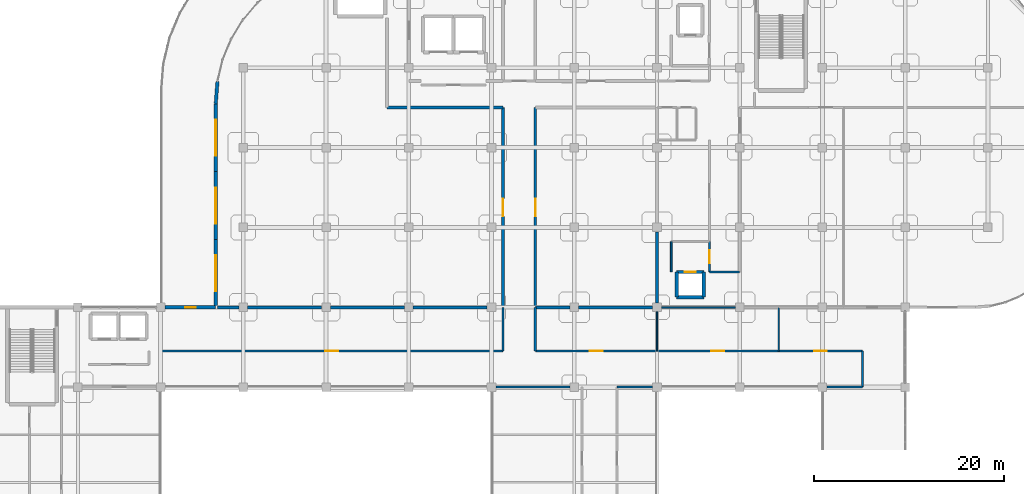
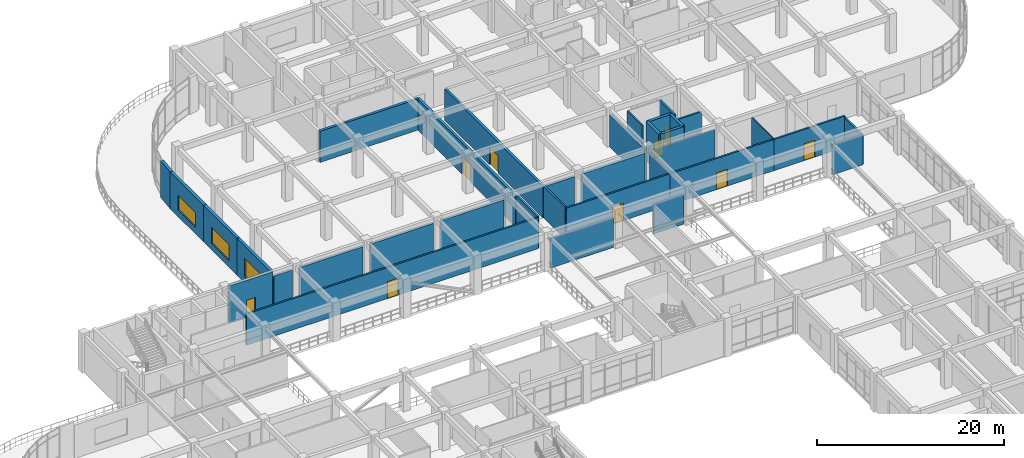
# One storey, part 103 of 120: 35 walls, 9 doors, 3 windows, 12 openings.
"""IFC4 building model written with IfcOpenShell, lengths in metres."""

from ifc_helpers import new_model, si_unit, derived_unit, direction, frame, frame_2d, origin, place, context, subcontext, project, spatial, rectangle, extrude, material, layer, layer_set, type_object, element, fill, save


model = new_model("IFC4")

# Units and contexts
model_context = context("Model", 3, precision=1e-05, world=origin(), true_north=direction((0.0, 1.0)))
body_context = subcontext(model_context, "Body", "Model", "MODEL_VIEW")
ifc_project = project(units=[si_unit("LENGTHUNIT", "METRE"), si_unit("AREAUNIT", "SQUARE_METRE"), si_unit("VOLUMEUNIT", "CUBIC_METRE"), si_unit("PLANEANGLEUNIT", "RADIAN"), si_unit("MASSUNIT", "GRAM", prefix="KILO"), derived_unit("THERMALTRANSMITTANCEUNIT", [(si_unit("MASSUNIT", "GRAM", prefix="KILO"), 1), (si_unit("TIMEUNIT", "SECOND"), -3), (si_unit("THERMODYNAMICTEMPERATUREUNIT", "KELVIN"), -1)])], contexts=[model_context])

# Site, building, storey
site_placement = place(None, origin())
site = spatial("IfcSite", under=ifc_project, at=site_placement, CompositionType="ELEMENT")
building_placement = place(site_placement, origin())
building = spatial("IfcBuilding", under=site, at=building_placement, Name="Qinzheling Arcade Emporium", CompositionType="ELEMENT")
storey_placement = place(building_placement, frame((0.0, 0.0, 11.39990234375)))
storey = spatial("IfcBuildingStorey", under=building, at=storey_placement, Name="L03", CompositionType="ELEMENT", Elevation=11.39990234375)

# Wall, opening, door
ifc_material_1 = material(Name="Double-stud acoustic gypsum board partition")
ifc_layer_1 = layer(ifc_material_1, 0.215087890625, Name="Double-stud acoustic gypsum board partition")
ifc_layer_set_1 = layer_set([ifc_layer_1], Name="Double-stud acoustic gypsum board partition")
wall_type_1 = type_object("IfcWallType", Name="Acoustic Corridor Partition Wall 215", PredefinedType="PARTITIONING", material=ifc_layer_set_1)
wall_1_placement = place(storey_placement, frame((109.89990234375, 80.699951171875, 0.0), z_axis=(0.0, 0.0, 1.0), x_axis=(0.0, -1.0, 0.0)))
wall_1 = element("IfcWall", 1, at=wall_1_placement, inside=storey, type_object=wall_type_1, Name="Interior Wall WL-L03-INT-0446", PredefinedType="PARTITIONING", context=body_context, shape_type="SweptSolid", body=[
    extrude(rectangle(XDim=3.169921875, YDim=0.215087890625, at=frame_2d((1.5849609375, 0.0))), origin(), (0.0, 0.0, 1.0), 4.760009765625),
])
opening_1_placement = place(wall_1_placement, frame((0.909912109375, 0.0, 0.0)))
opening_1 = element("IfcOpeningElement", 2, at=opening_1_placement, cuts=wall_1, Name="Opening FD05", PredefinedType="OPENING", context=body_context, shape_type="SweptSolid", body=[
    extrude(rectangle(XDim=1.35009765625, YDim=2.199951171875, at=frame_2d((0.675048828125, 1.10009765625))), frame((0.0, 0.11767578125, 0.0), z_axis=(0.0, -1.0, 0.0), x_axis=(1.0, 0.0, 0.0)), (0.0, 0.0, 1.0), 0.235107421875),
])
ifc_material_2 = material(Name="Class B fire-rated stainless-clad door")
door_type_1 = type_object("IfcDoorType", Name="Kitchen Fire-Rated Service Door 1350x2200", OperationType="NOTDEFINED", PredefinedType="DOOR", material=ifc_material_2)
door_1_placement = place(opening_1_placement, origin())
door_1 = element("IfcDoor", 3, at=door_1_placement, inside=storey, type_object=door_type_1, Name="FD05 Interior Door DR-L03-INT-0124", OperationType="SINGLE_SWING_RIGHT", OverallHeight=2.199951171875, OverallWidth=1.35009765625, PredefinedType="DOOR", context=body_context, shape_type="SweptSolid", body=[
    extrude(rectangle(XDim=1.35009765625, YDim=2.199951171875, at=frame_2d((0.675048828125, 1.10009765625))), frame((0.0, 0.02490234375, 0.0), z_axis=(0.0, -1.0, 0.0), x_axis=(1.0, 0.0, 0.0)), (0.0, 0.0, 1.0), 0.050048828125),
])
fill(opening_1, door_1)

# Wall
wall_2_placement = place(storey_placement, frame((91.60009765625, 73.800048828125, 0.0), z_axis=(0.0, 0.0, 1.0), x_axis=(0.0, -1.0, 0.0)))
element("IfcWall", 4, at=wall_2_placement, inside=storey, type_object=wall_type_1, Name="Interior Wall WL-L03-INT-0492", PredefinedType="PARTITIONING", context=body_context, shape_type="SweptSolid", body=[
    extrude(rectangle(XDim=4.60009765625, YDim=0.215087890625, at=frame_2d((2.300048828125, 0.0))), origin(), (0.0, 0.0, 1.0), 4.16015625),
])

# Wall, opening, door
wall_3_placement = place(storey_placement, frame((91.60009765625, 69.199951171875, 0.0), z_axis=(0.0, 0.0, 1.0), x_axis=(1.0, 0.0, 0.0)))
wall_3 = element("IfcWall", 5, at=wall_3_placement, inside=storey, type_object=wall_type_1, Name="Interior Wall WL-L03-INT-0493", PredefinedType="PARTITIONING", context=body_context, shape_type="SweptSolid", body=[
    extrude(rectangle(XDim=12.7998046875, YDim=0.215087890625, at=frame_2d((6.39990234375, 0.0))), origin(), (0.0, 0.0, 1.0), 4.06005859375),
])
opening_2_placement = place(wall_3_placement, frame((5.72509765625, 0.0, 0.0)))
opening_2 = element("IfcOpeningElement", 6, at=opening_2_placement, cuts=wall_3, Name="Opening FD05", PredefinedType="OPENING", context=body_context, shape_type="SweptSolid", body=[
    extrude(rectangle(XDim=1.35009765625, YDim=2.199951171875, at=frame_2d((0.675048828125, 1.10009765625))), frame((0.0, 0.11767578125, 0.0), z_axis=(0.0, -1.0, 0.0), x_axis=(1.0, 0.0, 0.0)), (0.0, 0.0, 1.0), 0.235107421875),
])
door_2_placement = place(opening_2_placement, origin())
door_2 = element("IfcDoor", 7, at=door_2_placement, inside=storey, type_object=door_type_1, Name="FD05 Interior Door DR-L03-INT-0142", OperationType="SINGLE_SWING_RIGHT", OverallHeight=2.199951171875, OverallWidth=1.35009765625, PredefinedType="DOOR", context=body_context, shape_type="SweptSolid", body=[
    extrude(rectangle(XDim=1.35009765625, YDim=2.199951171875, at=frame_2d((0.675048828125, 1.10009765625))), frame((0.0, 0.02490234375, 0.0), z_axis=(0.0, -1.0, 0.0), x_axis=(1.0, 0.0, 0.0)), (0.0, 0.0, 1.0), 0.050048828125),
])
fill(opening_2, door_2)

wall_4_placement = place(storey_placement, frame((52.199951171875, 69.199951171875, 0.0), z_axis=(0.0, 0.0, 1.0), x_axis=(1.0, 0.0, 0.0)))
wall_4 = element("IfcWall", 8, at=wall_4_placement, inside=storey, type_object=wall_type_1, Name="Interior Wall WL-L03-INT-0494", PredefinedType="PARTITIONING", context=body_context, shape_type="SweptSolid", body=[
    extrude(rectangle(XDim=36.0, YDim=0.215087890625, at=frame_2d((18.0, 0.0))), origin(), (0.0, 0.0, 1.0), 4.06005859375),
])
opening_3_placement = place(wall_4_placement, frame((17.324951171875, 0.0, 0.0)))
opening_3 = element("IfcOpeningElement", 9, at=opening_3_placement, cuts=wall_4, Name="Opening FD05", PredefinedType="OPENING", context=body_context, shape_type="SweptSolid", body=[
    extrude(rectangle(XDim=1.35009765625, YDim=2.199951171875, at=frame_2d((0.675048828125, 1.10009765625))), frame((0.0, 0.11767578125, 0.0), z_axis=(0.0, -1.0, 0.0), x_axis=(1.0, 0.0, 0.0)), (0.0, 0.0, 1.0), 0.235107421875),
])
door_3_placement = place(opening_3_placement, origin())
door_3 = element("IfcDoor", 10, at=door_3_placement, inside=storey, type_object=door_type_1, Name="FD05 Interior Door DR-L03-INT-0143", OperationType="SINGLE_SWING_LEFT", OverallHeight=2.199951171875, OverallWidth=1.35009765625, PredefinedType="DOOR", context=body_context, shape_type="SweptSolid", body=[
    extrude(rectangle(XDim=1.35009765625, YDim=2.199951171875, at=frame_2d((0.675048828125, 1.10009765625))), frame((0.0, 0.02490234375, 0.0), z_axis=(0.0, -1.0, 0.0), x_axis=(1.0, 0.0, 0.0)), (0.0, 0.0, 1.0), 0.050048828125),
])
fill(opening_3, door_3)

# Walls
wall_5_placement = place(storey_placement, frame((88.199951171875, 69.199951171875, 0.0), z_axis=(0.0, 0.0, 1.0), x_axis=(0.0, 1.0, 0.0)))
element("IfcWall", 11, at=wall_5_placement, inside=storey, type_object=wall_type_1, Name="Interior Wall WL-L03-INT-0495", PredefinedType="PARTITIONING", context=body_context, shape_type="SweptSolid", body=[
    extrude(rectangle(XDim=4.60009765625, YDim=0.215087890625, at=frame_2d((2.300048828125, 0.0))), origin(), (0.0, 0.0, 1.0), 4.16015625),
])
wall_6_placement = place(storey_placement, frame((103.93994140625, 65.39990234375, 0.0), z_axis=(0.0, 0.0, 1.0), x_axis=(-1.0, 0.0, 0.0)))
element("IfcWall", 12, at=wall_6_placement, inside=storey, type_object=wall_type_1, Name="Interior Wall WL-L03-INT-0496", PredefinedType="PARTITIONING", context=body_context, shape_type="SweptSolid", body=[
    extrude(rectangle(XDim=3.739990234375, YDim=0.215087890625, at=frame_2d((1.8701171875, 0.0))), origin(), (0.0, 0.0, 1.0), 3.860107421875),
])
wall_7_placement = place(storey_placement, frame((95.239990234375, 65.39990234375, 0.0), z_axis=(0.0, 0.0, 1.0), x_axis=(-1.0, 0.0, 0.0)))
element("IfcWall", 13, at=wall_7_placement, inside=storey, type_object=wall_type_1, Name="Interior Wall WL-L03-INT-0501", PredefinedType="PARTITIONING", context=body_context, shape_type="SweptSolid", body=[
    extrude(rectangle(XDim=7.780029296875, YDim=0.215087890625, at=frame_2d((3.89013671875, 0.0))), origin(), (0.0, 0.0, 1.0), 3.860107421875),
])

# Wall, opening, door
wall_8_placement = place(storey_placement, frame((117.199951171875, 69.199951171875, 0.0), z_axis=(0.0, 0.0, 1.0), x_axis=(1.0, 0.0, 0.0)))
wall_8 = element("IfcWall", 14, at=wall_8_placement, inside=storey, type_object=wall_type_1, Name="Interior Wall WL-L03-INT-0511", PredefinedType="PARTITIONING", context=body_context, shape_type="SweptSolid", body=[
    extrude(rectangle(XDim=8.800048828125, YDim=0.215087890625, at=frame_2d((4.39990234375, 0.0))), origin(), (0.0, 0.0, 1.0), 4.06005859375),
])
opening_4_placement = place(wall_8_placement, frame((3.72509765625, 0.0, 0.0)))
opening_4 = element("IfcOpeningElement", 15, at=opening_4_placement, cuts=wall_8, Name="Opening FD05", PredefinedType="OPENING", context=body_context, shape_type="SweptSolid", body=[
    extrude(rectangle(XDim=1.35009765625, YDim=2.199951171875, at=frame_2d((0.675048828125, 1.10009765625))), frame((0.0, 0.11767578125, 0.0), z_axis=(0.0, -1.0, 0.0), x_axis=(1.0, 0.0, 0.0)), (0.0, 0.0, 1.0), 0.235107421875),
])
door_4_placement = place(opening_4_placement, origin())
door_4 = element("IfcDoor", 16, at=door_4_placement, inside=storey, type_object=door_type_1, Name="FD05 Interior Door DR-L03-INT-0149", OperationType="SINGLE_SWING_LEFT", OverallHeight=2.199951171875, OverallWidth=1.35009765625, PredefinedType="DOOR", context=body_context, shape_type="SweptSolid", body=[
    extrude(rectangle(XDim=1.35009765625, YDim=2.199951171875, at=frame_2d((0.675048828125, 1.10009765625))), frame((0.0, 0.02490234375, 0.0), z_axis=(0.0, -1.0, 0.0), x_axis=(1.0, 0.0, 0.0)), (0.0, 0.0, 1.0), 0.050048828125),
])
fill(opening_4, door_4)

# Walls
wall_9_placement = place(storey_placement, frame((126.0, 69.199951171875, 0.0), z_axis=(0.0, 0.0, 1.0), x_axis=(0.0, -1.0, 0.0)))
element("IfcWall", 17, at=wall_9_placement, inside=storey, type_object=wall_type_1, Name="Interior Wall WL-L03-INT-0512", PredefinedType="PARTITIONING", context=body_context, shape_type="SweptSolid", body=[
    extrude(rectangle(XDim=3.800048828125, YDim=0.215087890625, at=frame_2d((1.89990234375, 0.0))), origin(), (0.0, 0.0, 1.0), 3.860107421875),
])
wall_10_placement = place(storey_placement, frame((126.0, 65.39990234375, 0.0), z_axis=(0.0, 0.0, 1.0), x_axis=(-1.0, 0.0, 0.0)))
element("IfcWall", 18, at=wall_10_placement, inside=storey, type_object=wall_type_1, Name="Interior Wall WL-L03-INT-0513", PredefinedType="PARTITIONING", context=body_context, shape_type="SweptSolid", body=[
    extrude(rectangle(XDim=3.739990234375, YDim=0.215087890625, at=frame_2d((1.8701171875, 0.0))), origin(), (0.0, 0.0, 1.0), 3.860107421875),
])
wall_11_placement = place(storey_placement, frame((113.10009765625, 77.530029296875, 0.0), z_axis=(0.0, 0.0, 1.0), x_axis=(-1.0, 0.0, 0.0)))
element("IfcWall", 19, at=wall_11_placement, inside=storey, type_object=wall_type_1, Name="Interior Wall WL-L03-INT-0535", PredefinedType="PARTITIONING", context=body_context, shape_type="SweptSolid", body=[
    extrude(rectangle(XDim=3.2001953125, YDim=0.215087890625, at=frame_2d((1.60009765625, 0.0))), origin(), (0.0, 0.0, 1.0), 4.0751953125),
])

# Wall, opening, door
wall_12_placement = place(storey_placement, frame((104.39990234375, 69.199951171875, 0.0), z_axis=(0.0, 0.0, 1.0), x_axis=(1.0, 0.0, 0.0)))
wall_12 = element("IfcWall", 20, at=wall_12_placement, inside=storey, type_object=wall_type_1, Name="Interior Wall WL-L03-INT-0543", PredefinedType="PARTITIONING", context=body_context, shape_type="SweptSolid", body=[
    extrude(rectangle(XDim=12.800048828125, YDim=0.215087890625, at=frame_2d((6.39990234375, 0.0))), origin(), (0.0, 0.0, 1.0), 4.06005859375),
])
opening_5_placement = place(wall_12_placement, frame((5.72509765625, 0.0, 0.0)))
opening_5 = element("IfcOpeningElement", 21, at=opening_5_placement, cuts=wall_12, Name="Opening FD05", PredefinedType="OPENING", context=body_context, shape_type="SweptSolid", body=[
    extrude(rectangle(XDim=1.35009765625, YDim=2.199951171875, at=frame_2d((0.675048828125, 1.10009765625))), frame((0.0, 0.11767578125, 0.0), z_axis=(0.0, -1.0, 0.0), x_axis=(1.0, 0.0, 0.0)), (0.0, 0.0, 1.0), 0.235107421875),
])
door_5_placement = place(opening_5_placement, origin())
door_5 = element("IfcDoor", 22, at=door_5_placement, inside=storey, type_object=door_type_1, Name="FD05 Interior Door DR-L03-INT-0160", OperationType="SINGLE_SWING_RIGHT", OverallHeight=2.199951171875, OverallWidth=1.35009765625, PredefinedType="DOOR", context=body_context, shape_type="SweptSolid", body=[
    extrude(rectangle(XDim=1.35009765625, YDim=2.199951171875, at=frame_2d((0.675048828125, 1.10009765625))), frame((0.0, 0.02490234375, 0.0), z_axis=(0.0, -1.0, 0.0), x_axis=(1.0, 0.0, 0.0)), (0.0, 0.0, 1.0), 0.050048828125),
])
fill(opening_5, door_5)

# Wall
ifc_material_3 = material(Name="Galvanised stud back-of-house partition")
ifc_layer_2 = layer(ifc_material_3, 0.1201171875, Name="Galvanised stud back-of-house partition")
ifc_layer_set_2 = layer_set([ifc_layer_2], Name="Galvanised stud back-of-house partition")
wall_type_2 = type_object("IfcWallType", Name="Back-of-House Partition Wall 120", PredefinedType="PARTITIONING", material=ifc_layer_set_2)
wall_13_placement = place(storey_placement, frame((117.199951171875, 69.199951171875, 0.0), z_axis=(0.0, 0.0, 1.0), x_axis=(0.0, 1.0, 0.0)))
element("IfcWall", 23, at=wall_13_placement, inside=storey, type_object=wall_type_2, Name="Interior Wall WL-L03-INT-0573", PredefinedType="PARTITIONING", context=body_context, shape_type="SweptSolid", body=[
    extrude(rectangle(XDim=4.60009765625, YDim=0.1201171875, at=frame_2d((2.300048828125, 0.0))), origin(), (0.0, 0.0, 1.0), 4.175048828125),
])

# Wall, opening, door
ifc_material_4 = material(Name="Fluted granite ashlar on Concrete C40", Category="masonry")
ifc_layer_3 = layer(ifc_material_4, 0.35009765625, Name="Fluted granite ashlar on Concrete C40", Category="masonry")
ifc_layer_set_3 = layer_set([ifc_layer_3], Name="Fluted granite ashlar on Concrete C40")
wall_type_3 = type_object("IfcWallType", Name="Fluted Granite Logistics Wall 350", PredefinedType="STANDARD", material=ifc_layer_set_3)
wall_14_placement = place(storey_placement, frame((52.652099609375, 73.800048828125, 0.0), z_axis=(0.0, 0.0, 1.0), x_axis=(1.0, 0.0, 0.0)))
wall_14 = element("IfcWall", 24, at=wall_14_placement, inside=storey, type_object=wall_type_3, Name="Exterior Wall WL-L03-EW-0177", PredefinedType="STANDARD", context=body_context, shape_type="SweptSolid", body=[
    extrude(rectangle(XDim=5.347900390625, YDim=0.35009765625, at=frame_2d((2.673828125, 0.0))), origin(), (0.0, 0.0, 1.0), 4.7900390625),
])
opening_6_placement = place(wall_14_placement, frame((2.1240234375, 0.0, 0.0)))
opening_6 = element("IfcOpeningElement", 25, at=opening_6_placement, cuts=wall_14, Name="Opening TD04", PredefinedType="OPENING", context=body_context, shape_type="SweptSolid", body=[
    extrude(rectangle(XDim=1.10009765625, YDim=2.199951171875, at=frame_2d((0.550048828125, 1.10009765625))), frame((0.0, 0.18505859375, 0.0), z_axis=(0.0, -1.0, 0.0), x_axis=(1.0, 0.0, 0.0)), (0.0, 0.0, 1.0), 0.3701171875),
])
ifc_material_5 = material(Name="Thermally broken aluminium and double glass", Category="aluminium")
door_type_2 = type_object("IfcDoorType", Name="Buying Office Terrace Single Door 1100x2200", OperationType="NOTDEFINED", PredefinedType="DOOR", material=ifc_material_5)
door_6_placement = place(opening_6_placement, origin())
door_6 = element("IfcDoor", 26, at=door_6_placement, inside=storey, type_object=door_type_2, Name="TD04 Exterior Door DR-L03-EXT-032", OperationType="SINGLE_SWING_LEFT", OverallHeight=2.199951171875, OverallWidth=1.10009765625, PredefinedType="DOOR", context=body_context, shape_type="SweptSolid", body=[
    extrude(rectangle(XDim=1.10009765625, YDim=2.199951171875, at=frame_2d((0.550048828125, 1.10009765625))), frame((0.0, 0.02490234375, 0.0), z_axis=(0.0, -1.0, 0.0), x_axis=(1.0, 0.0, 0.0)), (0.0, 0.0, 1.0), 0.050048828125),
])
fill(opening_6, door_6)

# Wall, opening, window
wall_15_placement = place(storey_placement, frame((58.0, 73.800048828125, 0.0), z_axis=(0.0, 0.0, 1.0), x_axis=(0.0, 1.0, 0.0)))
wall_15 = element("IfcWall", 27, at=wall_15_placement, inside=storey, type_object=wall_type_3, Name="Exterior Wall WL-L03-EW-0178", PredefinedType="STANDARD", context=body_context, shape_type="SweptSolid", body=[
    extrude(rectangle(XDim=7.130859375, YDim=0.35009765625, at=frame_2d((3.5654296875, 0.0))), origin(), (0.0, 0.0, 1.0), 4.7900390625),
])
opening_7_placement = place(wall_15_placement, frame((1.666015625, 0.0, 0.85009765625)))
opening_7 = element("IfcOpeningElement", 28, at=opening_7_placement, cuts=wall_15, Name="Opening WN21", PredefinedType="OPENING", context=body_context, shape_type="SweptSolid", body=[
    extrude(rectangle(XDim=3.800048828125, YDim=2.300048828125, at=frame_2d((1.89990234375, 1.14990234375))), frame((0.0, 0.18505859375, 0.0), z_axis=(0.0, -1.0, 0.0), x_axis=(1.0, 0.0, 0.0)), (0.0, 0.0, 1.0), 0.3701171875),
])
ifc_material_6 = material(Name="Thermally broken aluminium frame with solar-control double glazing", Category="aluminium")
window_type_1 = type_object("IfcWindowType", Name="Chicago Tripartite Window 3800x2300", PartitioningType="TRIPLE_PANEL_VERTICAL", PredefinedType="WINDOW", material=ifc_material_6)
window_1_placement = place(opening_7_placement, origin())
window_1 = element("IfcWindow", 29, at=window_1_placement, inside=storey, type_object=window_type_1, Name="WN21 Window WN-L03-0044", OverallHeight=2.300048828125, OverallWidth=3.800048828125, PartitioningType="TRIPLE_PANEL_VERTICAL", PredefinedType="WINDOW", context=body_context, shape_type="SweptSolid", body=[
    extrude(rectangle(XDim=3.800048828125, YDim=2.300048828125, at=frame_2d((1.89990234375, 1.14990234375))), frame((0.0, 0.030029296875, 0.0), z_axis=(0.0, -1.0, 0.0), x_axis=(1.0, 0.0, 0.0)), (0.0, 0.0, 1.0), 0.06005859375),
])
fill(opening_7, window_1)

wall_16_placement = place(storey_placement, frame((58.0, 80.93505859375, 0.0), z_axis=(0.0, 0.0, 1.0), x_axis=(0.0, 1.0, 0.0)))
wall_16 = element("IfcWall", 30, at=wall_16_placement, inside=storey, type_object=wall_type_3, Name="Exterior Wall WL-L03-EW-0179", PredefinedType="STANDARD", context=body_context, shape_type="SweptSolid", body=[
    extrude(rectangle(XDim=7.1298828125, YDim=0.35009765625, at=frame_2d((3.56494140625, 0.0))), origin(), (0.0, 0.0, 1.0), 4.7900390625),
])
opening_8_placement = place(wall_16_placement, frame((1.6650390625, 0.0, 0.85009765625)))
opening_8 = element("IfcOpeningElement", 31, at=opening_8_placement, cuts=wall_16, Name="Opening WN22", PredefinedType="OPENING", context=body_context, shape_type="SweptSolid", body=[
    extrude(rectangle(XDim=3.800048828125, YDim=2.10009765625, at=frame_2d((1.89990234375, 1.050048828125))), frame((0.0, 0.18505859375, 0.0), z_axis=(0.0, -1.0, 0.0), x_axis=(1.0, 0.0, 0.0)), (0.0, 0.0, 1.0), 0.3701171875),
])
window_type_2 = type_object("IfcWindowType", Name="Chicago Tripartite Window 3800x2100", PartitioningType="TRIPLE_PANEL_VERTICAL", PredefinedType="WINDOW", material=ifc_material_6)
window_2_placement = place(opening_8_placement, origin())
window_2 = element("IfcWindow", 32, at=window_2_placement, inside=storey, type_object=window_type_2, Name="WN22 Window WN-L03-0045", OverallHeight=2.10009765625, OverallWidth=3.800048828125, PartitioningType="TRIPLE_PANEL_VERTICAL", PredefinedType="WINDOW", context=body_context, shape_type="SweptSolid", body=[
    extrude(rectangle(XDim=3.800048828125, YDim=2.10009765625, at=frame_2d((1.89990234375, 1.050048828125))), frame((0.0, 0.030029296875, 0.0), z_axis=(0.0, -1.0, 0.0), x_axis=(1.0, 0.0, 0.0)), (0.0, 0.0, 1.0), 0.06005859375),
])
fill(opening_8, window_2)

wall_17_placement = place(storey_placement, frame((58.0, 88.069091796875, 0.0), z_axis=(0.0, 0.0, 1.0), x_axis=(0.0, 1.0, 0.0)))
wall_17 = element("IfcWall", 33, at=wall_17_placement, inside=storey, type_object=wall_type_3, Name="Exterior Wall WL-L03-EW-0180", PredefinedType="STANDARD", context=body_context, shape_type="SweptSolid", body=[
    extrude(rectangle(XDim=7.130859375, YDim=0.35009765625, at=frame_2d((3.5654296875, 0.0))), origin(), (0.0, 0.0, 1.0), 4.7900390625),
])
opening_9_placement = place(wall_17_placement, frame((1.666015625, 0.0, 0.85009765625)))
opening_9 = element("IfcOpeningElement", 34, at=opening_9_placement, cuts=wall_17, Name="Opening WN23", PredefinedType="OPENING", context=body_context, shape_type="SweptSolid", body=[
    extrude(rectangle(XDim=3.800048828125, YDim=1.89990234375, at=frame_2d((1.89990234375, 0.949951171875))), frame((0.0, 0.18505859375, 0.0), z_axis=(0.0, -1.0, 0.0), x_axis=(1.0, 0.0, 0.0)), (0.0, 0.0, 1.0), 0.3701171875),
])
window_type_3 = type_object("IfcWindowType", Name="Chicago Tripartite Window 3800x1900", PartitioningType="TRIPLE_PANEL_VERTICAL", PredefinedType="WINDOW", material=ifc_material_6)
window_3_placement = place(opening_9_placement, origin())
window_3 = element("IfcWindow", 35, at=window_3_placement, inside=storey, type_object=window_type_3, Name="WN23 Window WN-L03-0046", OverallHeight=1.89990234375, OverallWidth=3.800048828125, PartitioningType="TRIPLE_PANEL_VERTICAL", PredefinedType="WINDOW", context=body_context, shape_type="SweptSolid", body=[
    extrude(rectangle(XDim=3.800048828125, YDim=1.89990234375, at=frame_2d((1.89990234375, 0.949951171875))), frame((0.0, 0.030029296875, 0.0), z_axis=(0.0, -1.0, 0.0), x_axis=(1.0, 0.0, 0.0)), (0.0, 0.0, 1.0), 0.06005859375),
])
fill(opening_9, window_3)

# Wall
wall_18_placement = place(storey_placement, frame((58.0, 95.199951171875, 0.0), z_axis=(0.0, 0.0, 1.0), x_axis=(0.078599434099, 0.996906278925, 0.0)))
element("IfcWall", 36, at=wall_18_placement, inside=storey, type_object=wall_type_3, Name="Exterior Wall WL-L03-EW-0181", PredefinedType="STANDARD", context=body_context, shape_type="SweptSolid", body=[
    extrude(rectangle(XDim=2.3544921875, YDim=0.35009765625, at=frame_2d((1.17724609375, 0.0))), origin(), (0.0, 0.0, 1.0), 4.7900390625),
])

# Wall, opening, door
ifc_material_7 = material(Name="Concrete C40", Category="concrete")
ifc_layer_4 = layer(ifc_material_7, 0.35009765625, Name="Concrete C40", Category="concrete")
ifc_layer_set_4 = layer_set([ifc_layer_4], Name="Concrete C40")
wall_type_4 = type_object("IfcWallType", Name="RC Lift Shaft Shear Wall 350 C40", PredefinedType="SHEAR", material=ifc_layer_set_4)
wall_19_placement = place(storey_placement, frame((106.47509765625, 77.52490234375, 0.0), z_axis=(0.0, 0.0, 1.0), x_axis=(1.0, 0.0, 0.0)))
wall_19 = element("IfcWall", 37, at=wall_19_placement, inside=storey, type_object=wall_type_4, Name="Lift Shaft Wall WL-L03-LFT-LP06-N", PredefinedType="SHEAR", context=body_context, shape_type="SweptSolid", body=[
    extrude(rectangle(XDim=2.849853515625, YDim=0.35009765625, at=frame_2d((1.4248046875, 0.0))), origin(), (0.0, 0.0, 1.0), 5.10009765625),
])
opening_10_placement = place(wall_19_placement, frame((0.824951171875, 0.0, 0.0)))
opening_10 = element("IfcOpeningElement", 38, at=opening_10_placement, cuts=wall_19, Name="Opening LD02", PredefinedType="OPENING", context=body_context, shape_type="SweptSolid", body=[
    extrude(rectangle(XDim=1.199951171875, YDim=2.199951171875, at=frame_2d((0.60009765625, 1.10009765625))), frame((0.0, 0.18505859375, 0.0), z_axis=(0.0, -1.0, 0.0), x_axis=(1.0, 0.0, 0.0)), (0.0, 0.0, 1.0), 0.3701171875),
])
ifc_material_8 = material(Name="Brushed bronze stainless sliding lift door")
door_type_3 = type_object("IfcDoorType", Name="Passenger Lift Sliding Landing Door 1200x2200", OperationType="DOUBLE_DOOR_SLIDING", PredefinedType="DOOR", material=ifc_material_8)
door_7_placement = place(opening_10_placement, origin())
door_7 = element("IfcDoor", 39, at=door_7_placement, inside=storey, type_object=door_type_3, Name="LD02 Lift Landing Door LP06 L03", OperationType="DOUBLE_DOOR_SLIDING", OverallHeight=2.199951171875, OverallWidth=1.199951171875, PredefinedType="DOOR", context=body_context, shape_type="SweptSolid", body=[
    extrude(rectangle(XDim=1.199951171875, YDim=2.199951171875, at=frame_2d((0.60009765625, 1.10009765625))), frame((0.0, 0.02490234375, 0.0), z_axis=(0.0, -1.0, 0.0), x_axis=(1.0, 0.0, 0.0)), (0.0, 0.0, 1.0), 0.050048828125),
])
fill(opening_10, door_7)

# Walls
wall_20_placement = place(storey_placement, frame((109.324951171875, 74.875, 0.0), z_axis=(0.0, 0.0, 1.0), x_axis=(-1.0, 0.0, 0.0)))
element("IfcWall", 40, at=wall_20_placement, inside=storey, type_object=wall_type_4, Name="Lift Shaft Wall WL-L03-LFT-LP06-S", PredefinedType="SHEAR", context=body_context, shape_type="SweptSolid", body=[
    extrude(rectangle(XDim=2.849853515625, YDim=0.35009765625, at=frame_2d((1.4248046875, 0.0))), origin(), (0.0, 0.0, 1.0), 5.10009765625),
])
for number, where, z_axis, x_axis, name in (
    (41, (106.47509765625, 74.875, 0.0), (0.0, 0.0, 1.0), (0.0, 1.0, 0.0), "Lift Shaft Wall WL-L03-LFT-LP06-W"),
    (42, (109.324951171875, 77.52490234375, 0.0), (0.0, 0.0, 1.0), (0.0, -1.0, 0.0), "Lift Shaft Wall WL-L03-LFT-LP06-E"),
):
    element("IfcWall", number, at=place(storey_placement, frame(where, z_axis=z_axis, x_axis=x_axis)), inside=storey, type_object=wall_type_4, Name=name, PredefinedType="SHEAR", context=body_context, shape_type="SweptSolid", body=[
        extrude(rectangle(XDim=2.64990234375, YDim=0.35009765625, at=frame_2d((1.324951171875, 0.0))), origin(), (0.0, 0.0, 1.0), 5.10009765625),
    ])

# Wall, opening, door
ifc_material_9 = material(Name="Autoclaved aerated concrete masonry with fire plaster", Category="masonry")
ifc_layer_5 = layer(ifc_material_9, 0.31005859375, Name="Autoclaved aerated concrete masonry with fire plaster", Category="masonry")
ifc_layer_set_5 = layer_set([ifc_layer_5], Name="Autoclaved aerated concrete masonry with fire plaster")
wall_type_5 = type_object("IfcWallType", Name="Retail Compartment Fire Wall 310 C40", PredefinedType="STANDARD", material=ifc_layer_set_5)
wall_21_placement = place(storey_placement, frame((88.199951171875, 73.800048828125, 0.0), z_axis=(0.0, 0.0, 1.0), x_axis=(0.0, 1.0, 0.0)))
wall_21 = element("IfcWall", 43, at=wall_21_placement, inside=storey, type_object=wall_type_5, Name="Interior Wall WL-L03-INT-0521", PredefinedType="STANDARD", context=body_context, shape_type="SweptSolid", body=[
    extrude(rectangle(XDim=21.0, YDim=0.31005859375, at=frame_2d((10.5, 0.0))), origin(), (0.0, 0.0, 1.0), 4.06005859375),
])
opening_11_placement = place(wall_21_placement, frame((9.574951171875, 0.0, 0.0)))
opening_11 = element("IfcOpeningElement", 44, at=opening_11_placement, cuts=wall_21, Name="Opening FD03", PredefinedType="OPENING", context=body_context, shape_type="SweptSolid", body=[
    extrude(rectangle(XDim=1.85009765625, YDim=2.300048828125, at=frame_2d((0.925048828125, 1.14990234375))), frame((0.0, 0.1650390625, 0.0), z_axis=(0.0, -1.0, 0.0), x_axis=(1.0, 0.0, 0.0)), (0.0, 0.0, 1.0), 0.330078125),
])
ifc_material_10 = material(Name="Class A fire-rated steel double door", Category="steel")
door_type_4 = type_object("IfcDoorType", Name="Stockroom Double Fire Door 1850x2300", OperationType="DOUBLE_DOOR_SINGLE_SWING", PredefinedType="DOOR", material=ifc_material_10)
door_8_placement = place(opening_11_placement, origin())
door_8 = element("IfcDoor", 45, at=door_8_placement, inside=storey, type_object=door_type_4, Name="FD03 Interior Door DR-L03-INT-0152", OperationType="DOUBLE_DOOR_SINGLE_SWING", OverallHeight=2.300048828125, OverallWidth=1.85009765625, PredefinedType="DOOR", context=body_context, shape_type="SweptSolid", body=[
    extrude(rectangle(XDim=1.85009765625, YDim=2.300048828125, at=frame_2d((0.925048828125, 1.14990234375))), frame((0.0, 0.02490234375, 0.0), z_axis=(0.0, -1.0, 0.0), x_axis=(1.0, 0.0, 0.0)), (0.0, 0.0, 1.0), 0.050048828125),
])
fill(opening_11, door_8)

# Wall
wall_22_placement = place(storey_placement, frame((88.199951171875, 94.800048828125, 0.0), z_axis=(0.0, 0.0, 1.0), x_axis=(-1.0, 0.0, 0.0)))
element("IfcWall", 46, at=wall_22_placement, inside=storey, type_object=wall_type_5, Name="Interior Wall WL-L03-INT-0522", PredefinedType="STANDARD", context=body_context, shape_type="SweptSolid", body=[
    extrude(rectangle(XDim=12.2099609375, YDim=0.31005859375, at=frame_2d((6.10498046875, 0.0))), origin(), (0.0, 0.0, 1.0), 4.06005859375),
])

# Wall, opening, door
wall_23_placement = place(storey_placement, frame((91.60009765625, 94.800048828125, 0.0), z_axis=(0.0, 0.0, 1.0), x_axis=(0.0, -1.0, 0.0)))
wall_23 = element("IfcWall", 47, at=wall_23_placement, inside=storey, type_object=wall_type_5, Name="Interior Wall WL-L03-INT-0529", PredefinedType="STANDARD", context=body_context, shape_type="SweptSolid", body=[
    extrude(rectangle(XDim=21.0, YDim=0.31005859375, at=frame_2d((10.5, 0.0))), origin(), (0.0, 0.0, 1.0), 4.06005859375),
])
opening_12_placement = place(wall_23_placement, frame((9.574951171875, 0.0, 0.0)))
opening_12 = element("IfcOpeningElement", 48, at=opening_12_placement, cuts=wall_23, Name="Opening FD03", PredefinedType="OPENING", context=body_context, shape_type="SweptSolid", body=[
    extrude(rectangle(XDim=1.85009765625, YDim=2.300048828125, at=frame_2d((0.925048828125, 1.14990234375))), frame((0.0, 0.1650390625, 0.0), z_axis=(0.0, -1.0, 0.0), x_axis=(1.0, 0.0, 0.0)), (0.0, 0.0, 1.0), 0.330078125),
])
door_9_placement = place(opening_12_placement, origin())
door_9 = element("IfcDoor", 49, at=door_9_placement, inside=storey, type_object=door_type_4, Name="FD03 Interior Door DR-L03-INT-0154", OperationType="DOUBLE_DOOR_SINGLE_SWING", OverallHeight=2.300048828125, OverallWidth=1.85009765625, PredefinedType="DOOR", context=body_context, shape_type="SweptSolid", body=[
    extrude(rectangle(XDim=1.85009765625, YDim=2.300048828125, at=frame_2d((0.925048828125, 1.14990234375))), frame((0.0, 0.02490234375, 0.0), z_axis=(0.0, -1.0, 0.0), x_axis=(1.0, 0.0, 0.0)), (0.0, 0.0, 1.0), 0.050048828125),
])
fill(opening_12, door_9)

# Walls
wall_24_placement = place(storey_placement, frame((91.60009765625, 73.800048828125, 0.0), z_axis=(0.0, 0.0, 1.0), x_axis=(1.0, 0.0, 0.0)))
element("IfcWall", 50, at=wall_24_placement, inside=storey, type_object=wall_type_5, Name="Interior Wall WL-L03-INT-0555", PredefinedType="STANDARD", context=body_context, shape_type="SweptSolid", body=[
    extrude(rectangle(XDim=3.639892578125, YDim=0.31005859375, at=frame_2d((1.81982421875, 0.0))), origin(), (0.0, 0.0, 1.0), 4.16015625),
])
wall_25_placement = place(storey_placement, frame((96.159912109375, 73.800048828125, 0.0), z_axis=(0.0, 0.0, 1.0), x_axis=(1.0, 0.0, 0.0)))
element("IfcWall", 51, at=wall_25_placement, inside=storey, type_object=wall_type_5, Name="Interior Wall WL-L03-INT-0556", PredefinedType="STANDARD", context=body_context, shape_type="SweptSolid", body=[
    extrude(rectangle(XDim=7.780029296875, YDim=0.31005859375, at=frame_2d((3.89013671875, 0.0))), origin(), (0.0, 0.0, 1.0), 4.16015625),
])
wall_26_placement = place(storey_placement, frame((58.179931640625, 73.800048828125, 0.0), z_axis=(0.0, 0.0, 1.0), x_axis=(1.0, 0.0, 0.0)))
element("IfcWall", 52, at=wall_26_placement, inside=storey, type_object=wall_type_5, Name="Interior Wall WL-L03-INT-0558", PredefinedType="STANDARD", context=body_context, shape_type="SweptSolid", body=[
    extrude(rectangle(XDim=2.260009765625, YDim=0.31005859375, at=frame_2d((1.1298828125, 0.0))), origin(), (0.0, 0.0, 1.0), 4.16015625),
])
wall_27_placement = place(storey_placement, frame((61.360107421875, 73.800048828125, 0.0), z_axis=(0.0, 0.0, 1.0), x_axis=(1.0, 0.0, 0.0)))
element("IfcWall", 53, at=wall_27_placement, inside=storey, type_object=wall_type_5, Name="Interior Wall WL-L03-INT-0559", PredefinedType="STANDARD", context=body_context, shape_type="SweptSolid", body=[
    extrude(rectangle(XDim=7.77978515625, YDim=0.31005859375, at=frame_2d((3.889892578125, 0.0))), origin(), (0.0, 0.0, 1.0), 4.16015625),
])
for number, where, z_axis, x_axis, name in (
    (54, (70.06005859375, 73.800048828125, 0.0), (0.0, 0.0, 1.0), (1.0, 0.0, 0.0), "Interior Wall WL-L03-INT-0560"),
    (55, (78.760009765625, 73.800048828125, 0.0), (0.0, 0.0, 1.0), (1.0, 0.0, 0.0), "Interior Wall WL-L03-INT-0561"),
):
    element("IfcWall", number, at=place(storey_placement, frame(where, z_axis=z_axis, x_axis=x_axis)), inside=storey, type_object=wall_type_5, Name=name, PredefinedType="STANDARD", context=body_context, shape_type="SweptSolid", body=[
        extrude(rectangle(XDim=7.780029296875, YDim=0.31005859375, at=frame_2d((3.89013671875, 0.0))), origin(), (0.0, 0.0, 1.0), 4.16015625),
    ])
wall_28_placement = place(storey_placement, frame((104.39990234375, 81.739990234375, 0.0), z_axis=(0.0, 0.0, 1.0), x_axis=(0.0, -1.0, 0.0)))
element("IfcWall", 56, at=wall_28_placement, inside=storey, type_object=wall_type_5, Name="Interior Wall WL-L03-INT-0578", PredefinedType="STANDARD", context=body_context, shape_type="SweptSolid", body=[
    extrude(rectangle(XDim=7.47998046875, YDim=0.31005859375, at=frame_2d((3.739990234375, 0.0))), origin(), (0.0, 0.0, 1.0), 4.175048828125),
])
ifc_material_11 = material(Name="Double-board salon partition")
ifc_layer_6 = layer(ifc_material_11, 0.175048828125, Name="Double-board salon partition")
ifc_layer_set_6 = layer_set([ifc_layer_6], Name="Double-board salon partition")
wall_type_6 = type_object("IfcWallType", Name="Salon Acoustic Partition Wall 175", PredefinedType="PARTITIONING", material=ifc_layer_set_6)
wall_29_placement = place(storey_placement, frame((105.89990234375, 77.530029296875, 0.0), z_axis=(0.0, 0.0, 1.0), x_axis=(0.0, 1.0, 0.0)))
element("IfcWall", 57, at=wall_29_placement, inside=storey, type_object=wall_type_6, Name="Interior Wall WL-L03-INT-0447", PredefinedType="PARTITIONING", context=body_context, shape_type="SweptSolid", body=[
    extrude(rectangle(XDim=3.169921875, YDim=0.175048828125, at=frame_2d((1.5849609375, 0.0))), origin(), (0.0, 0.0, 1.0), 4.760009765625),
])
ifc_material_12 = material(Name="Moisture-resistant cement-board WC partition")
ifc_layer_7 = layer(ifc_material_12, 0.14501953125, Name="Moisture-resistant cement-board WC partition")
ifc_layer_set_7 = layer_set([ifc_layer_7], Name="Moisture-resistant cement-board WC partition")
wall_type_7 = type_object("IfcWallType", Name="Washroom Moisture Partition Wall 145", PredefinedType="PARTITIONING", material=ifc_layer_set_7)
wall_30_placement = place(storey_placement, frame((104.39990234375, 73.340087890625, 0.0), z_axis=(0.0, 0.0, 1.0), x_axis=(0.0, -1.0, 0.0)))
element("IfcWall", 58, at=wall_30_placement, inside=storey, type_object=wall_type_7, Name="Interior Wall WL-L03-INT-0557", PredefinedType="PARTITIONING", context=body_context, shape_type="SweptSolid", body=[
    extrude(rectangle(XDim=4.14013671875, YDim=0.14501953125, at=frame_2d((2.070068359375, 0.0))), origin(), (0.0, 0.0, 1.0), 4.16015625),
])
wall_31_placement = place(storey_placement, frame((112.639892578125, 73.800048828125, 0.0), z_axis=(0.0, 0.0, 1.0), x_axis=(-1.0, 0.0, 0.0)))
element("IfcWall", 59, at=wall_31_placement, inside=storey, type_object=wall_type_7, Name="Interior Wall WL-L03-INT-0586", PredefinedType="PARTITIONING", context=body_context, shape_type="SweptSolid", body=[
    extrude(rectangle(XDim=7.77978515625, YDim=0.14501953125, at=frame_2d((3.889892578125, 0.0))), origin(), (0.0, 0.0, 1.0), 4.175048828125),
])

save(model, "model.ifc")
